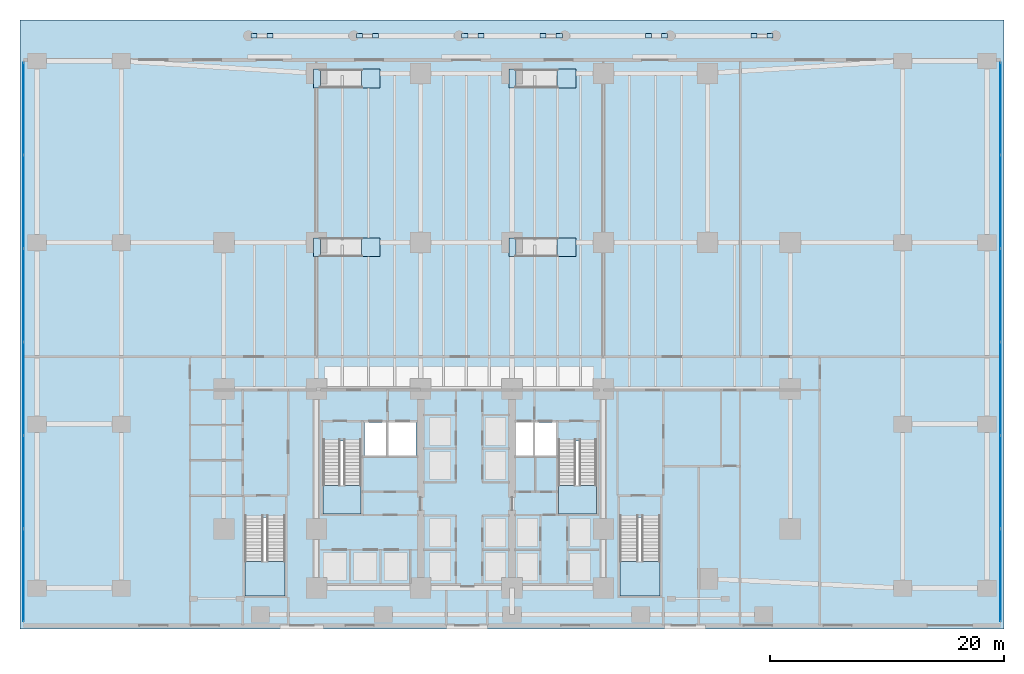
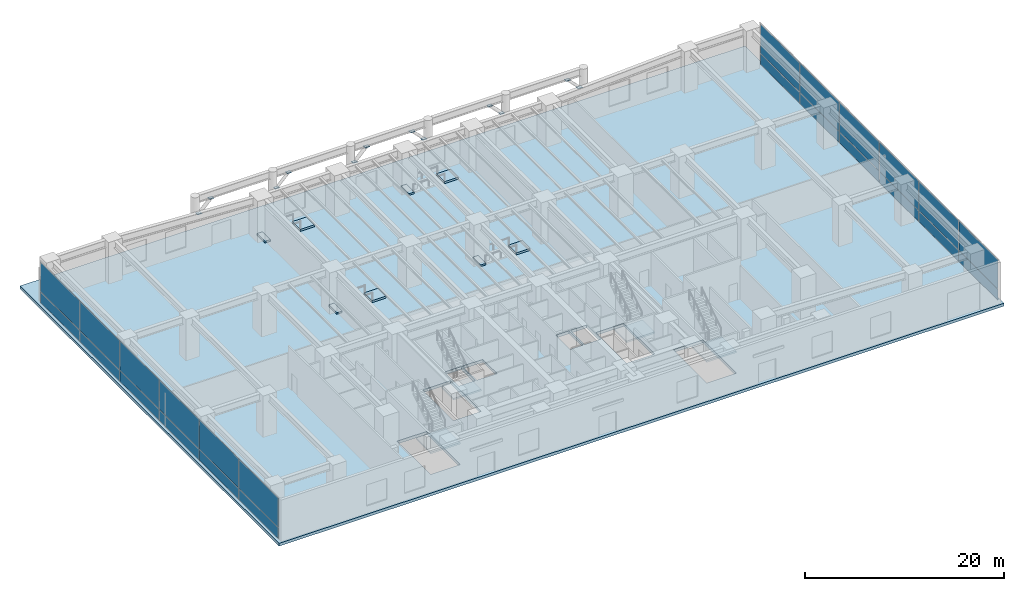
# One storey, part 8 of 19: 36 plates, 13 slabs, 6 elements without a shape of their own.
"""IFC4 building model written with IfcOpenShell, lengths in metres."""

from ifc_helpers import new_model, si_unit, direction, frame, origin, origin_2d, place, context, subcontext, project, spatial, polyline, rectangle, outline, extrude, material, layer, layer_set, type_object, element, aggregate, save


model = new_model("IFC4")

# Units and contexts
model_context = context("Model", 3, precision=1e-05, world=origin(), true_north=direction((0.0, 1.0)))
body_context = subcontext(model_context, "Body", "Model", "MODEL_VIEW")
ifc_project = project(units=[si_unit("LENGTHUNIT", "METRE"), si_unit("AREAUNIT", "SQUARE_METRE"), si_unit("VOLUMEUNIT", "CUBIC_METRE"), si_unit("PLANEANGLEUNIT", "RADIAN"), si_unit("MASSUNIT", "GRAM", prefix="KILO")], contexts=[model_context])

# Site, building, storey
site_placement = place(None, origin())
site = spatial("IfcSite", under=ifc_project, at=site_placement, CompositionType="ELEMENT")
building_placement = place(site_placement, origin())
building = spatial("IfcBuilding", under=site, at=building_placement, Name="Qalmaran Belvedere Hotel", CompositionType="ELEMENT")
storey_placement = place(building_placement, origin())
storey = spatial("IfcBuildingStorey", under=building, at=storey_placement, Name="L00", CompositionType="ELEMENT", Elevation=0.0)

# Curtain wall, plates
ifc_material_1 = material(Name="Anodised Bronze Aluminium", Category="aluminium")
ifc_layer_1 = layer(ifc_material_1, 0.219970703125, Name="Anodised Bronze Aluminium")
ifc_layer_set_1 = layer_set([ifc_layer_1], Name="Anodised Bronze Aluminium")
curtain_wall_type = type_object("IfcCurtainWallType", Name="CW1-PODIUM-BRONZE", PredefinedType="NOTDEFINED", material=ifc_layer_set_1)
curtain_wall_1_placement = place(storey_placement, origin())
curtain_wall_1 = element("IfcCurtainWall", 1, at=curtain_wall_1_placement, inside=storey, type_object=curtain_wall_type, Name="L00 Curtain Wall CW1", PredefinedType="NOTDEFINED")
ifc_material_2 = material(Name="Anodised Bronze Spandrel Panel")
ifc_layer_2 = layer(ifc_material_2, 0.035888671875, Name="Anodised Bronze Spandrel Panel")
ifc_layer_set_2 = layer_set([ifc_layer_2], Name="Anodised Bronze Spandrel Panel")
plate_type_1 = type_object("IfcPlateType", Name="CWP-SPANDREL-36", PredefinedType="CURTAIN_PANEL", material=ifc_layer_set_2)
plate_1_placement = place(storey_placement, frame((-4.699951171875, 44.425537109375, 0.06982421875), z_axis=(0.0, 0.0, 1.0), x_axis=(0.0, -1.0, 0.0)))
plate_1 = element("IfcPlate", 2, at=plate_1_placement, type_object=plate_type_1, Name="CW1 panel 1.1", PredefinedType="CURTAIN_PANEL", context=body_context, shape_type="SweptSolid", body=[
    extrude(rectangle(XDim=7.859130859375, YDim=0.035888671875, at=origin_2d()), origin(), (0.0, 0.0, 1.0), 1.322998046875),
])
plate_2_placement = place(storey_placement, frame((-4.699951171875, 36.472412109375, 0.06982421875), z_axis=(0.0, 0.0, 1.0), x_axis=(0.0, -1.0, 0.0)))
plate_2 = element("IfcPlate", 3, at=plate_2_placement, type_object=plate_type_1, Name="CW1 panel 2.1", PredefinedType="CURTAIN_PANEL", context=body_context, shape_type="SweptSolid", body=[
    extrude(rectangle(XDim=7.896728515625, YDim=0.035888671875, at=origin_2d()), origin(), (0.0, 0.0, 1.0), 1.322998046875),
])
plate_3_placement = place(storey_placement, frame((-4.699951171875, 28.500732421875, 0.06982421875), z_axis=(0.0, 0.0, 1.0), x_axis=(0.0, -1.0, 0.0)))
plate_3 = element("IfcPlate", 4, at=plate_3_placement, type_object=plate_type_1, Name="CW1 panel 3.1", PredefinedType="CURTAIN_PANEL", context=body_context, shape_type="SweptSolid", body=[
    extrude(rectangle(XDim=7.896728515625, YDim=0.035888671875, at=origin_2d()), origin(), (0.0, 0.0, 1.0), 1.322998046875),
])
plate_4_placement = place(storey_placement, frame((-4.699951171875, 20.529052734375, 0.06982421875), z_axis=(0.0, 0.0, 1.0), x_axis=(0.0, -1.0, 0.0)))
plate_4 = element("IfcPlate", 5, at=plate_4_placement, type_object=plate_type_1, Name="CW1 panel 4.1", PredefinedType="CURTAIN_PANEL", context=body_context, shape_type="SweptSolid", body=[
    extrude(rectangle(XDim=7.896728515625, YDim=0.035888671875, at=origin_2d()), origin(), (0.0, 0.0, 1.0), 1.322998046875),
])
plate_5_placement = place(storey_placement, frame((-4.699951171875, 12.5576171875, 0.06982421875), z_axis=(0.0, 0.0, 1.0), x_axis=(0.0, -1.0, 0.0)))
plate_5 = element("IfcPlate", 6, at=plate_5_placement, type_object=plate_type_1, Name="CW1 panel 5.1", PredefinedType="CURTAIN_PANEL", context=body_context, shape_type="SweptSolid", body=[
    extrude(rectangle(XDim=7.896728515625, YDim=0.035888671875, at=origin_2d()), origin(), (0.0, 0.0, 1.0), 1.322998046875),
])
plate_6_placement = place(storey_placement, frame((-4.699951171875, 4.6044921875, 0.06982421875), z_axis=(0.0, 0.0, 1.0), x_axis=(0.0, -1.0, 0.0)))
plate_6 = element("IfcPlate", 7, at=plate_6_placement, type_object=plate_type_1, Name="CW1 panel 6.1", PredefinedType="CURTAIN_PANEL", context=body_context, shape_type="SweptSolid", body=[
    extrude(rectangle(XDim=7.859130859375, YDim=0.035888671875, at=origin_2d()), origin(), (0.0, 0.0, 1.0), 1.322998046875),
])

curtain_wall_2_placement = place(storey_placement, origin())
curtain_wall_2 = element("IfcCurtainWall", 8, at=curtain_wall_2_placement, inside=storey, type_object=curtain_wall_type, Name="L00 Curtain Wall CW1", PredefinedType="NOTDEFINED")
plate_7_placement = place(storey_placement, frame((78.699951171875, 4.6044921875, 0.06982421875), z_axis=(0.0, 0.0, 1.0), x_axis=(0.0, 1.0, 0.0)))
plate_7 = element("IfcPlate", 9, at=plate_7_placement, type_object=plate_type_1, Name="CW1 panel 1.1", PredefinedType="CURTAIN_PANEL", context=body_context, shape_type="SweptSolid", body=[
    extrude(rectangle(XDim=7.859130859375, YDim=0.035888671875, at=origin_2d()), origin(), (0.0, 0.0, 1.0), 1.322998046875),
])
plate_8_placement = place(storey_placement, frame((78.699951171875, 12.5576171875, 0.06982421875), z_axis=(0.0, 0.0, 1.0), x_axis=(0.0, 1.0, 0.0)))
plate_8 = element("IfcPlate", 10, at=plate_8_placement, type_object=plate_type_1, Name="CW1 panel 2.1", PredefinedType="CURTAIN_PANEL", context=body_context, shape_type="SweptSolid", body=[
    extrude(rectangle(XDim=7.896728515625, YDim=0.035888671875, at=origin_2d()), origin(), (0.0, 0.0, 1.0), 1.322998046875),
])
plate_9_placement = place(storey_placement, frame((78.699951171875, 20.529052734375, 0.06982421875), z_axis=(0.0, 0.0, 1.0), x_axis=(0.0, 1.0, 0.0)))
plate_9 = element("IfcPlate", 11, at=plate_9_placement, type_object=plate_type_1, Name="CW1 panel 3.1", PredefinedType="CURTAIN_PANEL", context=body_context, shape_type="SweptSolid", body=[
    extrude(rectangle(XDim=7.896728515625, YDim=0.035888671875, at=origin_2d()), origin(), (0.0, 0.0, 1.0), 1.322998046875),
])
plate_10_placement = place(storey_placement, frame((78.699951171875, 28.500732421875, 0.06982421875), z_axis=(0.0, 0.0, 1.0), x_axis=(0.0, 1.0, 0.0)))
plate_10 = element("IfcPlate", 12, at=plate_10_placement, type_object=plate_type_1, Name="CW1 panel 4.1", PredefinedType="CURTAIN_PANEL", context=body_context, shape_type="SweptSolid", body=[
    extrude(rectangle(XDim=7.896728515625, YDim=0.035888671875, at=origin_2d()), origin(), (0.0, 0.0, 1.0), 1.322998046875),
])
plate_11_placement = place(storey_placement, frame((78.699951171875, 36.472412109375, 0.06982421875), z_axis=(0.0, 0.0, 1.0), x_axis=(0.0, 1.0, 0.0)))
plate_11 = element("IfcPlate", 13, at=plate_11_placement, type_object=plate_type_1, Name="CW1 panel 5.1", PredefinedType="CURTAIN_PANEL", context=body_context, shape_type="SweptSolid", body=[
    extrude(rectangle(XDim=7.896728515625, YDim=0.035888671875, at=origin_2d()), origin(), (0.0, 0.0, 1.0), 1.322998046875),
])
plate_12_placement = place(storey_placement, frame((78.699951171875, 44.425537109375, 0.06982421875), z_axis=(0.0, 0.0, 1.0), x_axis=(0.0, 1.0, 0.0)))
plate_12 = element("IfcPlate", 14, at=plate_12_placement, type_object=plate_type_1, Name="CW1 panel 6.1", PredefinedType="CURTAIN_PANEL", context=body_context, shape_type="SweptSolid", body=[
    extrude(rectangle(XDim=7.859130859375, YDim=0.035888671875, at=origin_2d()), origin(), (0.0, 0.0, 1.0), 1.322998046875),
])

# Plate
ifc_material_3 = material(Name="Solar-Control Double Glazing", Category="glass")
ifc_layer_3 = layer(ifc_material_3, 0.028076171875, Name="Solar-Control Double Glazing")
ifc_layer_set_3 = layer_set([ifc_layer_3], Name="Solar-Control Double Glazing")
plate_type_2 = type_object("IfcPlateType", Name="CWP-VISION-28", PredefinedType="CURTAIN_PANEL", material=ifc_layer_set_3)
plate_13_placement = place(storey_placement, frame((-4.699951171875, 44.425537109375, 1.463134765625), z_axis=(0.0, 0.0, 1.0), x_axis=(0.0, -1.0, 0.0)))
plate_13 = element("IfcPlate", 15, at=plate_13_placement, type_object=plate_type_2, Name="CW1 panel 1.2", PredefinedType="CURTAIN_PANEL", context=body_context, shape_type="SweptSolid", body=[
    extrude(rectangle(XDim=7.859130859375, YDim=0.028076171875, at=origin_2d()), origin(), (0.0, 0.0, 1.0), 3.56689453125),
])

plate_14_placement = place(storey_placement, frame((-4.699951171875, 36.472412109375, 1.463134765625), z_axis=(0.0, 0.0, 1.0), x_axis=(0.0, -1.0, 0.0)))
plate_14 = element("IfcPlate", 16, at=plate_14_placement, type_object=plate_type_2, Name="CW1 panel 2.2", PredefinedType="CURTAIN_PANEL", context=body_context, shape_type="SweptSolid", body=[
    extrude(rectangle(XDim=7.896728515625, YDim=0.028076171875, at=origin_2d()), origin(), (0.0, 0.0, 1.0), 3.56689453125),
])

plate_15_placement = place(storey_placement, frame((-4.699951171875, 28.500732421875, 1.463134765625), z_axis=(0.0, 0.0, 1.0), x_axis=(0.0, -1.0, 0.0)))
plate_15 = element("IfcPlate", 17, at=plate_15_placement, type_object=plate_type_2, Name="CW1 panel 3.2", PredefinedType="CURTAIN_PANEL", context=body_context, shape_type="SweptSolid", body=[
    extrude(rectangle(XDim=7.896728515625, YDim=0.028076171875, at=origin_2d()), origin(), (0.0, 0.0, 1.0), 3.56689453125),
])

plate_16_placement = place(storey_placement, frame((-4.699951171875, 20.529052734375, 1.463134765625), z_axis=(0.0, 0.0, 1.0), x_axis=(0.0, -1.0, 0.0)))
plate_16 = element("IfcPlate", 18, at=plate_16_placement, type_object=plate_type_2, Name="CW1 panel 4.2", PredefinedType="CURTAIN_PANEL", context=body_context, shape_type="SweptSolid", body=[
    extrude(rectangle(XDim=7.896728515625, YDim=0.028076171875, at=origin_2d()), origin(), (0.0, 0.0, 1.0), 3.56689453125),
])

plate_17_placement = place(storey_placement, frame((-4.699951171875, 12.5576171875, 1.463134765625), z_axis=(0.0, 0.0, 1.0), x_axis=(0.0, -1.0, 0.0)))
plate_17 = element("IfcPlate", 19, at=plate_17_placement, type_object=plate_type_2, Name="CW1 panel 5.2", PredefinedType="CURTAIN_PANEL", context=body_context, shape_type="SweptSolid", body=[
    extrude(rectangle(XDim=7.896728515625, YDim=0.028076171875, at=origin_2d()), origin(), (0.0, 0.0, 1.0), 3.56689453125),
])

plate_18_placement = place(storey_placement, frame((-4.699951171875, 4.6044921875, 1.463134765625), z_axis=(0.0, 0.0, 1.0), x_axis=(0.0, -1.0, 0.0)))
plate_18 = element("IfcPlate", 20, at=plate_18_placement, type_object=plate_type_2, Name="CW1 panel 6.2", PredefinedType="CURTAIN_PANEL", context=body_context, shape_type="SweptSolid", body=[
    extrude(rectangle(XDim=7.859130859375, YDim=0.028076171875, at=origin_2d()), origin(), (0.0, 0.0, 1.0), 3.56689453125),
])

aggregate(curtain_wall_1, [plate_1, plate_13, plate_2, plate_14, plate_3, plate_15, plate_4, plate_16, plate_5, plate_17, plate_6, plate_18])

plate_19_placement = place(storey_placement, frame((78.699951171875, 4.6044921875, 1.463134765625), z_axis=(0.0, 0.0, 1.0), x_axis=(0.0, 1.0, 0.0)))
plate_19 = element("IfcPlate", 21, at=plate_19_placement, type_object=plate_type_2, Name="CW1 panel 1.2", PredefinedType="CURTAIN_PANEL", context=body_context, shape_type="SweptSolid", body=[
    extrude(rectangle(XDim=7.859130859375, YDim=0.028076171875, at=origin_2d()), origin(), (0.0, 0.0, 1.0), 3.56689453125),
])

plate_20_placement = place(storey_placement, frame((78.699951171875, 12.5576171875, 1.463134765625), z_axis=(0.0, 0.0, 1.0), x_axis=(0.0, 1.0, 0.0)))
plate_20 = element("IfcPlate", 22, at=plate_20_placement, type_object=plate_type_2, Name="CW1 panel 2.2", PredefinedType="CURTAIN_PANEL", context=body_context, shape_type="SweptSolid", body=[
    extrude(rectangle(XDim=7.896728515625, YDim=0.028076171875, at=origin_2d()), origin(), (0.0, 0.0, 1.0), 3.56689453125),
])

plate_21_placement = place(storey_placement, frame((78.699951171875, 20.529052734375, 1.463134765625), z_axis=(0.0, 0.0, 1.0), x_axis=(0.0, 1.0, 0.0)))
plate_21 = element("IfcPlate", 23, at=plate_21_placement, type_object=plate_type_2, Name="CW1 panel 3.2", PredefinedType="CURTAIN_PANEL", context=body_context, shape_type="SweptSolid", body=[
    extrude(rectangle(XDim=7.896728515625, YDim=0.028076171875, at=origin_2d()), origin(), (0.0, 0.0, 1.0), 3.56689453125),
])

plate_22_placement = place(storey_placement, frame((78.699951171875, 28.500732421875, 1.463134765625), z_axis=(0.0, 0.0, 1.0), x_axis=(0.0, 1.0, 0.0)))
plate_22 = element("IfcPlate", 24, at=plate_22_placement, type_object=plate_type_2, Name="CW1 panel 4.2", PredefinedType="CURTAIN_PANEL", context=body_context, shape_type="SweptSolid", body=[
    extrude(rectangle(XDim=7.896728515625, YDim=0.028076171875, at=origin_2d()), origin(), (0.0, 0.0, 1.0), 3.56689453125),
])

plate_23_placement = place(storey_placement, frame((78.699951171875, 36.472412109375, 1.463134765625), z_axis=(0.0, 0.0, 1.0), x_axis=(0.0, 1.0, 0.0)))
plate_23 = element("IfcPlate", 25, at=plate_23_placement, type_object=plate_type_2, Name="CW1 panel 5.2", PredefinedType="CURTAIN_PANEL", context=body_context, shape_type="SweptSolid", body=[
    extrude(rectangle(XDim=7.896728515625, YDim=0.028076171875, at=origin_2d()), origin(), (0.0, 0.0, 1.0), 3.56689453125),
])

plate_24_placement = place(storey_placement, frame((78.699951171875, 44.425537109375, 1.463134765625), z_axis=(0.0, 0.0, 1.0), x_axis=(0.0, 1.0, 0.0)))
plate_24 = element("IfcPlate", 26, at=plate_24_placement, type_object=plate_type_2, Name="CW1 panel 6.2", PredefinedType="CURTAIN_PANEL", context=body_context, shape_type="SweptSolid", body=[
    extrude(rectangle(XDim=7.859130859375, YDim=0.028076171875, at=origin_2d()), origin(), (0.0, 0.0, 1.0), 3.56689453125),
])

aggregate(curtain_wall_2, [plate_7, plate_19, plate_8, plate_20, plate_9, plate_21, plate_10, plate_22, plate_11, plate_23, plate_12, plate_24])

# Plates
ifc_material_4 = material(Name="Steel S355JR", Category="steel")
ifc_layer_4 = layer(ifc_material_4, 0.02490234375, Name="Steel S355JR")
ifc_layer_set_4 = layer_set([ifc_layer_4], Name="Steel S355JR")
plate_type_3 = type_object("IfcPlateType", Name="PLT-CAP2-520X380X25", PredefinedType="SHEET", material=ifc_layer_set_4)
for number, where, z_axis, x_axis, name in (
    (27, (14.965087890625, 50.64990234375, 2.737548828125), (0.0, 0.0, 1.0), (1.0, 0.0, 0.0), "L00 Hollow End Cap Plate 0001A"),
    (28, (16.35009765625, 50.64990234375, 4.1474609375), (0.0, 0.0, 1.0), (1.0, 0.0, 0.0), "L00 Hollow End Cap Plate 0002B"),
    (29, (23.965087890625, 50.64990234375, 2.737548828125), (0.0, 0.0, 1.0), (1.0, 0.0, 0.0), "L00 Hollow End Cap Plate 0003A"),
    (30, (25.35009765625, 50.64990234375, 4.1474609375), (0.0, 0.0, 1.0), (1.0, 0.0, 0.0), "L00 Hollow End Cap Plate 0004B"),
    (31, (32.965087890625, 50.64990234375, 2.737548828125), (0.0, 0.0, 1.0), (1.0, 0.0, 0.0), "L00 Hollow End Cap Plate 0005A"),
    (32, (34.35009765625, 50.64990234375, 4.1474609375), (0.0, 0.0, 1.0), (1.0, 0.0, 0.0), "L00 Hollow End Cap Plate 0006B"),
    (33, (41.034912109375, 50.64990234375, 2.737548828125), (0.0, 0.0, 1.0), (-1.0, 0.0, 0.0), "L00 Hollow End Cap Plate 0007A"),
    (34, (39.64990234375, 50.64990234375, 4.1474609375), (0.0, 0.0, 1.0), (-1.0, 0.0, 0.0), "L00 Hollow End Cap Plate 0008B"),
    (35, (50.034912109375, 50.64990234375, 2.737548828125), (0.0, 0.0, 1.0), (-1.0, 0.0, 0.0), "L00 Hollow End Cap Plate 0009A"),
    (36, (48.64990234375, 50.64990234375, 4.1474609375), (0.0, 0.0, 1.0), (-1.0, 0.0, 0.0), "L00 Hollow End Cap Plate 0010B"),
    (37, (59.034912109375, 50.64990234375, 2.737548828125), (0.0, 0.0, 1.0), (-1.0, 0.0, 0.0), "L00 Hollow End Cap Plate 0011A"),
    (38, (57.64990234375, 50.64990234375, 4.1474609375), (0.0, 0.0, 1.0), (-1.0, 0.0, 0.0), "L00 Hollow End Cap Plate 0012B"),
):
    element("IfcPlate", number, at=place(storey_placement, frame(where, z_axis=z_axis, x_axis=x_axis)), inside=storey, type_object=plate_type_3, Name=name, PredefinedType="SHEET", context=body_context, shape_type="SweptSolid", body=[
        extrude(rectangle(XDim=0.52001953125, YDim=0.3798828125, at=origin_2d()), origin(), (0.0, 0.0, 1.0), 0.02490234375),
    ])

# Slabs
ifc_material_5 = material(Name="Concrete C40/50", Category="concrete")
ifc_layer_5 = layer(ifc_material_5, 0.35009765625, Name="Concrete C40/50")
ifc_layer_set_5 = layer_set([ifc_layer_5], Name="Concrete C40/50")
slab_type_1 = type_object("IfcSlabType", Name="SLB-POD-350", PredefinedType="FLOOR", material=ifc_layer_set_5)
slab_1_placement = place(storey_placement, frame((0.0, 0.0, -0.35009765625)))
element("IfcSlab", 39, at=slab_1_placement, inside=storey, type_object=slab_type_1, Name="L00 Structural Floor Slab", PredefinedType="FLOOR", context=body_context, shape_type="SweptSolid", body=[
    extrude(outline(polyline([(-5.0, 0.0), (79.0, 0.0), (79.0, 52.0), (-5.0, 52.0), (-5.0, 0.0)]), holes=[polyline([(20.8798828125, 9.85009765625), (24.1201171875, 9.85009765625), (24.1201171875, 16.0400390625), (20.8798828125, 16.0400390625), (20.8798828125, 9.85009765625)]), polyline([(40.9599609375, 9.85009765625), (44.199951171875, 9.85009765625), (44.199951171875, 16.0400390625), (40.9599609375, 16.0400390625), (40.9599609375, 9.85009765625)]), polyline([(14.199951171875, 2.85009765625), (17.639892578125, 2.85009765625), (17.639892578125, 9.550048828125), (14.199951171875, 9.550048828125), (14.199951171875, 2.85009765625)]), polyline([(46.199951171875, 2.85009765625), (49.639892578125, 2.85009765625), (49.639892578125, 9.550048828125), (46.199951171875, 9.550048828125), (46.199951171875, 2.85009765625)]), polyline([(24.39990234375, 14.800048828125), (26.300048828125, 14.800048828125), (26.300048828125, 17.64990234375), (24.39990234375, 17.64990234375), (24.39990234375, 14.800048828125)]), polyline([(38.949951171875, 14.800048828125), (40.820068359375, 14.800048828125), (40.820068359375, 17.64990234375), (38.949951171875, 17.64990234375), (38.949951171875, 14.800048828125)]), polyline([(26.449951171875, 14.800048828125), (28.800048828125, 14.800048828125), (28.800048828125, 17.64990234375), (26.449951171875, 17.64990234375), (26.449951171875, 14.800048828125)]), polyline([(37.25, 14.800048828125), (38.800048828125, 14.800048828125), (38.800048828125, 17.64990234375), (37.25, 17.64990234375), (37.25, 14.800048828125)])]), origin(), (0.0, 0.0, 1.0), 0.35009765625),
])
ifc_layer_6 = layer(ifc_material_5, 0.199951171875, Name="Concrete C40/50")
ifc_layer_set_6 = layer_set([ifc_layer_6], Name="Concrete C40/50")
slab_type_2 = type_object("IfcSlabType", Name="SLB-RAMP-PAD-200", PredefinedType="LANDING", material=ifc_layer_set_6)
slab_2_placement = place(storey_placement, origin())
element("IfcSlab", 40, at=slab_2_placement, inside=storey, type_object=slab_type_2, Name="L00 Accessible Ramp Starter Pad RMP-L00-N1", PredefinedType="LANDING", context=body_context, shape_type="SweptSolid", body=[
    extrude(outline(polyline([(20.050048828125, 31.800048828125), (20.659912109375, 31.800048828125), (20.659912109375, 33.39990234375), (20.050048828125, 33.39990234375), (20.050048828125, 31.800048828125)])), origin(), (0.0, 0.0, 1.0), 0.199951171875),
])
slab_3_placement = place(storey_placement, origin())
element("IfcSlab", 41, at=slab_3_placement, inside=storey, type_object=slab_type_2, Name="L00 Accessible Ramp Starter Pad RMP-L00-N2", PredefinedType="LANDING", context=body_context, shape_type="SweptSolid", body=[
    extrude(outline(polyline([(36.75, 31.800048828125), (37.360107421875, 31.800048828125), (37.360107421875, 33.39990234375), (36.75, 33.39990234375), (36.75, 31.800048828125)])), origin(), (0.0, 0.0, 1.0), 0.199951171875),
])
slab_4_placement = place(storey_placement, origin())
element("IfcSlab", 42, at=slab_4_placement, inside=storey, type_object=slab_type_2, Name="L00 Accessible Ramp Starter Pad RMP-L00-S1", PredefinedType="LANDING", context=body_context, shape_type="SweptSolid", body=[
    extrude(outline(polyline([(20.050048828125, 46.199951171875), (20.659912109375, 46.199951171875), (20.659912109375, 47.800048828125), (20.050048828125, 47.800048828125), (20.050048828125, 46.199951171875)])), origin(), (0.0, 0.0, 1.0), 0.199951171875),
])
slab_5_placement = place(storey_placement, origin())
element("IfcSlab", 43, at=slab_5_placement, inside=storey, type_object=slab_type_2, Name="L00 Accessible Ramp Starter Pad RMP-L00-S2", PredefinedType="LANDING", context=body_context, shape_type="SweptSolid", body=[
    extrude(outline(polyline([(36.75, 46.199951171875), (37.360107421875, 46.199951171875), (37.360107421875, 47.800048828125), (36.75, 47.800048828125), (36.75, 46.199951171875)])), origin(), (0.0, 0.0, 1.0), 0.199951171875),
])
ifc_layer_7 = layer(ifc_material_5, 0.239990234375, Name="Concrete C40/50")
ifc_layer_set_7 = layer_set([ifc_layer_7], Name="Concrete C40/50")
slab_type_3 = type_object("IfcSlabType", Name="SLB-RAMP-PAD-240", PredefinedType="LANDING", material=ifc_layer_set_7)
slab_6_placement = place(storey_placement, origin())
element("IfcSlab", 44, at=slab_6_placement, inside=storey, type_object=slab_type_3, Name="L00 Accessible Ramp Landing RMP-L00-N1", PredefinedType="LANDING", context=body_context, shape_type="SweptSolid", body=[
    extrude(outline(polyline([(24.139892578125, 31.800048828125), (25.75, 31.800048828125), (25.75, 33.39990234375), (24.139892578125, 33.39990234375), (24.139892578125, 31.800048828125)])), origin(), (0.0, 0.0, 1.0), 0.239990234375),
])
slab_7_placement = place(storey_placement, origin())
element("IfcSlab", 45, at=slab_7_placement, inside=storey, type_object=slab_type_3, Name="L00 Accessible Ramp Landing RMP-L00-N2", PredefinedType="LANDING", context=body_context, shape_type="SweptSolid", body=[
    extrude(outline(polyline([(40.840087890625, 31.800048828125), (42.449951171875, 31.800048828125), (42.449951171875, 33.39990234375), (40.840087890625, 33.39990234375), (40.840087890625, 31.800048828125)])), origin(), (0.0, 0.0, 1.0), 0.239990234375),
])
slab_8_placement = place(storey_placement, origin())
element("IfcSlab", 46, at=slab_8_placement, inside=storey, type_object=slab_type_3, Name="L00 Accessible Ramp Landing RMP-L00-S1", PredefinedType="LANDING", context=body_context, shape_type="SweptSolid", body=[
    extrude(outline(polyline([(24.139892578125, 46.199951171875), (25.75, 46.199951171875), (25.75, 47.800048828125), (24.139892578125, 47.800048828125), (24.139892578125, 46.199951171875)])), origin(), (0.0, 0.0, 1.0), 0.239990234375),
])
slab_9_placement = place(storey_placement, origin())
element("IfcSlab", 47, at=slab_9_placement, inside=storey, type_object=slab_type_3, Name="L00 Accessible Ramp Landing RMP-L00-S2", PredefinedType="LANDING", context=body_context, shape_type="SweptSolid", body=[
    extrude(outline(polyline([(40.840087890625, 46.199951171875), (42.449951171875, 46.199951171875), (42.449951171875, 47.800048828125), (40.840087890625, 47.800048828125), (40.840087890625, 46.199951171875)])), origin(), (0.0, 0.0, 1.0), 0.239990234375),
])

# Stair, slab
stair_type_1 = type_object("IfcStairType", Name="STR-ST-1-1450-R1800", PredefinedType="HALF_TURN_STAIR", material=ifc_material_5)
stair_1_placement = place(storey_placement, origin())
stair_1 = element("IfcStair", 48, at=stair_1_placement, inside=storey, type_object=stair_type_1, Name="L00 West Core Exit Stair ST-1", PredefinedType="HALF_TURN_STAIR")
ifc_layer_8 = layer(ifc_material_5, 0.199951171875, Name="Concrete C40/50")
ifc_layer_set_8 = layer_set([ifc_layer_8], Name="Concrete C40/50")
slab_type_4 = type_object("IfcSlabType", Name="SLB-STAIR-LANDING-200", PredefinedType="LANDING", material=ifc_layer_set_8)
slab_10_placement = place(storey_placement, frame((0.0, 0.0, 2.5)))
slab_10 = element("IfcSlab", 49, at=slab_10_placement, type_object=slab_type_4, Name="ST-1 landing 1", PredefinedType="LANDING", context=body_context, shape_type="SweptSolid", body=[
    extrude(outline(polyline([(20.8798828125, 12.27001953125), (20.8798828125, 9.85009765625), (24.1201171875, 9.85009765625), (24.1201171875, 12.27001953125), (20.8798828125, 12.27001953125)])), origin(), (0.0, 0.0, 1.0), 0.199951171875),
])
aggregate(stair_1, [slab_10])

stair_type_2 = type_object("IfcStairType", Name="STR-ST-2-1450-R1800", PredefinedType="HALF_TURN_STAIR", material=ifc_material_5)
stair_2_placement = place(storey_placement, origin())
stair_2 = element("IfcStair", 50, at=stair_2_placement, inside=storey, type_object=stair_type_2, Name="L00 East Core Exit Stair ST-2", PredefinedType="HALF_TURN_STAIR")
slab_11_placement = place(storey_placement, frame((0.0, 0.0, 2.5)))
slab_11 = element("IfcSlab", 51, at=slab_11_placement, type_object=slab_type_4, Name="ST-2 landing 1", PredefinedType="LANDING", context=body_context, shape_type="SweptSolid", body=[
    extrude(outline(polyline([(40.9599609375, 12.27001953125), (40.9599609375, 9.85009765625), (44.199951171875, 9.85009765625), (44.199951171875, 12.27001953125), (40.9599609375, 12.27001953125)])), origin(), (0.0, 0.0, 1.0), 0.199951171875),
])
aggregate(stair_2, [slab_11])

stair_type_3 = type_object("IfcStairType", Name="STR-ST-P1-1550-R1800", PredefinedType="HALF_TURN_STAIR", material=ifc_material_5)
stair_3_placement = place(storey_placement, origin())
stair_3 = element("IfcStair", 52, at=stair_3_placement, inside=storey, type_object=stair_type_3, Name="L00 West Podium Exit Stair ST-P1", PredefinedType="HALF_TURN_STAIR")
slab_12_placement = place(storey_placement, frame((0.0, 0.0, 2.5)))
slab_12 = element("IfcSlab", 53, at=slab_12_placement, type_object=slab_type_4, Name="ST-P1 landing 1", PredefinedType="LANDING", context=body_context, shape_type="SweptSolid", body=[
    extrude(outline(polyline([(14.199951171875, 5.780029296875), (14.199951171875, 2.85009765625), (17.639892578125, 2.85009765625), (17.639892578125, 5.780029296875), (14.199951171875, 5.780029296875)])), origin(), (0.0, 0.0, 1.0), 0.199951171875),
])
aggregate(stair_3, [slab_12])

stair_type_4 = type_object("IfcStairType", Name="STR-ST-P2-1550-R1800", PredefinedType="HALF_TURN_STAIR", material=ifc_material_5)
stair_4_placement = place(storey_placement, origin())
stair_4 = element("IfcStair", 54, at=stair_4_placement, inside=storey, type_object=stair_type_4, Name="L00 East Podium Exit Stair ST-P2", PredefinedType="HALF_TURN_STAIR")
slab_13_placement = place(storey_placement, frame((0.0, 0.0, 2.5)))
slab_13 = element("IfcSlab", 55, at=slab_13_placement, type_object=slab_type_4, Name="ST-P2 landing 1", PredefinedType="LANDING", context=body_context, shape_type="SweptSolid", body=[
    extrude(outline(polyline([(46.199951171875, 5.780029296875), (46.199951171875, 2.85009765625), (49.639892578125, 2.85009765625), (49.639892578125, 5.780029296875), (46.199951171875, 5.780029296875)])), origin(), (0.0, 0.0, 1.0), 0.199951171875),
])
aggregate(stair_4, [slab_13])

save(model, "model.ifc")
